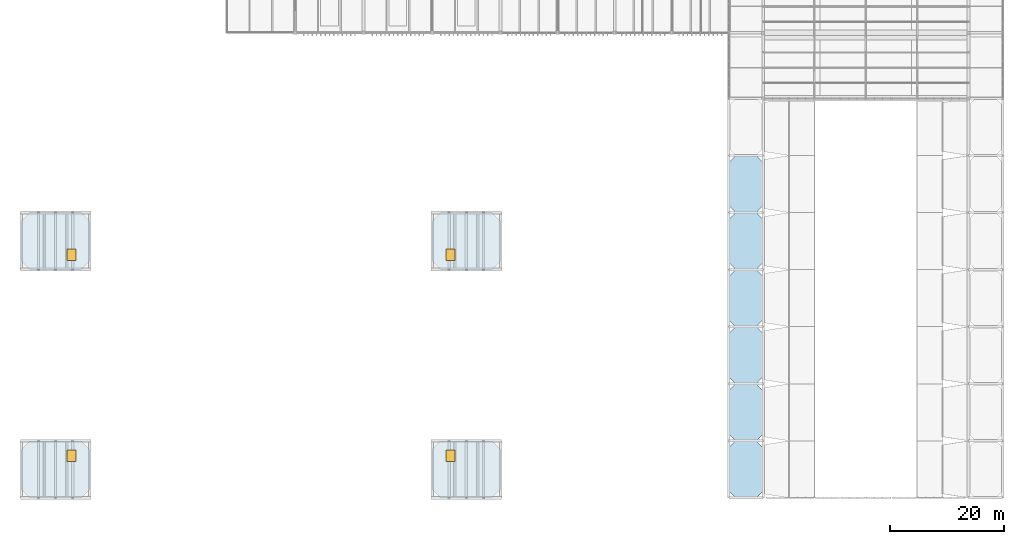
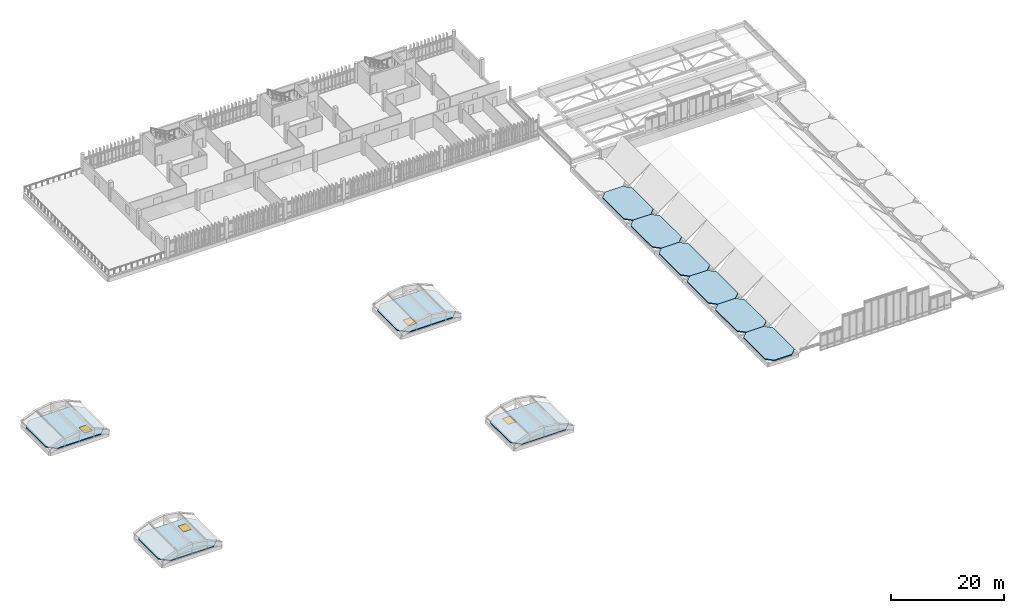
# One storey, part 66 of 82: 10 slabs, 4 windows, 4 openings.
"""IFC4 building model written with IfcOpenShell, lengths in metres."""

from ifc_helpers import new_model, si_unit, direction, frame, origin, origin_2d, place, context, subcontext, project, spatial, polyline, rectangle, outline, extrude, material, layer, layer_set, type_object, element, fill, save


model = new_model("IFC4")

# Units and contexts
model_context = context("Model", 3, precision=1e-05, world=origin(), true_north=direction((0.0, 1.0)))
body_context = subcontext(model_context, "Body", "Model", "MODEL_VIEW")
ifc_project = project(units=[si_unit("LENGTHUNIT", "METRE"), si_unit("AREAUNIT", "SQUARE_METRE"), si_unit("VOLUMEUNIT", "CUBIC_METRE"), si_unit("PLANEANGLEUNIT", "RADIAN"), si_unit("MASSUNIT", "GRAM", prefix="KILO")], contexts=[model_context])

# Site, building, storey
site_placement = place(None, origin())
site = spatial("IfcSite", under=ifc_project, at=site_placement, CompositionType="ELEMENT")
building_placement = place(site_placement, origin())
building = spatial("IfcBuilding", under=site, at=building_placement, Name="Mersad Railyard Sports Hall", CompositionType="ELEMENT")
storey_placement = place(building_placement, frame((0.0, 0.0, 13.199951171875)))
storey = spatial("IfcBuildingStorey", under=building, at=storey_placement, Name="L03", CompositionType="ELEMENT", Elevation=13.199951171875)

# Slab, opening, window
ifc_material_1 = material(Name="Architectural concrete C50/60", Category="concrete")
ifc_layer = layer(ifc_material_1, 0.219970703125)
ifc_layer_set = layer_set([ifc_layer], Name="Architectural concrete C50/60")
slab_type = type_object("IfcSlabType", Name="STR-SL-RF01", PredefinedType="ROOF", material=ifc_layer_set)
slab_1_placement = place(storey_placement, frame((0.0, 0.0, -0.219970703125)))
slab_1 = element("IfcSlab", 1, at=slab_1_placement, inside=storey, type_object=slab_type, Name="Slab RS01-0095", PredefinedType="ROOF", context=body_context, shape_type="SweptSolid", body=[
    extrude(outline(polyline([(8.5, 3.5), (17.5, 3.5), (19.0, 5.0), (19.0, 12.0), (17.5, 13.5), (8.5, 13.5), (7.0, 12.0), (7.0, 5.0), (8.5, 3.5)])), origin(), (0.0, 0.0, 1.0), 0.219970703125),
])
opening_1_placement = place(slab_1_placement, frame((15.800048828125, 10.89990234375, -0.010009765625)))
opening_1 = element("IfcOpeningElement", 2, at=opening_1_placement, cuts=slab_1, Name="Opening SK05", PredefinedType="OPENING", context=body_context, shape_type="SweptSolid", body=[
    extrude(rectangle(XDim=1.60009765625, YDim=2.0, at=origin_2d()), origin(), (0.0, 0.0, 1.0), 0.239990234375),
])
ifc_material_2 = material(Name="Solar-control glass", Category="glass")
window_type = type_object("IfcWindowType", Name="ARC-SK-SK05", PartitioningType="SINGLE_PANEL", PredefinedType="SKYLIGHT", material=ifc_material_2)
window_1_placement = place(slab_1_placement, frame((15.800048828125, 10.89990234375, 0.169921875)))
window_1 = element("IfcWindow", 3, at=window_1_placement, inside=storey, type_object=window_type, Name="Pavilion skylight SK05-1", OverallHeight=2.0, OverallWidth=1.60009765625, PartitioningType="SINGLE_PANEL", PredefinedType="SKYLIGHT", context=body_context, shape_type="SweptSolid", body=[
    extrude(rectangle(XDim=1.60009765625, YDim=2.0, at=origin_2d()), origin(), (0.0, 0.0, 1.0), 0.050048828125),
])
fill(opening_1, window_1)

slab_2_placement = place(storey_placement, frame((0.0, 0.0, -0.219970703125)))
slab_2 = element("IfcSlab", 4, at=slab_2_placement, inside=storey, type_object=slab_type, Name="Slab RS01-0096", PredefinedType="ROOF", context=body_context, shape_type="SweptSolid", body=[
    extrude(outline(polyline([(80.5, 3.5), (89.5, 3.5), (91.0, 5.0), (91.0, 12.0), (89.5, 13.5), (80.5, 13.5), (79.0, 12.0), (79.0, 5.0), (80.5, 3.5)])), origin(), (0.0, 0.0, 1.0), 0.219970703125),
])
opening_2_placement = place(slab_2_placement, frame((82.199951171875, 10.89990234375, -0.010009765625)))
opening_2 = element("IfcOpeningElement", 5, at=opening_2_placement, cuts=slab_2, Name="Opening SK05", PredefinedType="OPENING", context=body_context, shape_type="SweptSolid", body=[
    extrude(rectangle(XDim=1.60009765625, YDim=2.0, at=origin_2d()), origin(), (0.0, 0.0, 1.0), 0.239990234375),
])
window_2_placement = place(slab_2_placement, frame((82.199951171875, 10.89990234375, 0.169921875)))
window_2 = element("IfcWindow", 6, at=window_2_placement, inside=storey, type_object=window_type, Name="Pavilion skylight SK05-2", OverallHeight=2.0, OverallWidth=1.60009765625, PartitioningType="SINGLE_PANEL", PredefinedType="SKYLIGHT", context=body_context, shape_type="SweptSolid", body=[
    extrude(rectangle(XDim=1.60009765625, YDim=2.0, at=origin_2d()), origin(), (0.0, 0.0, 1.0), 0.050048828125),
])
fill(opening_2, window_2)

slab_3_placement = place(storey_placement, frame((0.0, 0.0, -0.219970703125)))
slab_3 = element("IfcSlab", 7, at=slab_3_placement, inside=storey, type_object=slab_type, Name="Slab RS01-0097", PredefinedType="ROOF", context=body_context, shape_type="SweptSolid", body=[
    extrude(outline(polyline([(8.5, 43.5), (17.5, 43.5), (19.0, 45.0), (19.0, 52.0), (17.5, 53.5), (8.5, 53.5), (7.0, 52.0), (7.0, 45.0), (8.5, 43.5)])), origin(), (0.0, 0.0, 1.0), 0.219970703125),
])
opening_3_placement = place(slab_3_placement, frame((15.800048828125, 46.10009765625, -0.010009765625)))
opening_3 = element("IfcOpeningElement", 8, at=opening_3_placement, cuts=slab_3, Name="Opening SK05", PredefinedType="OPENING", context=body_context, shape_type="SweptSolid", body=[
    extrude(rectangle(XDim=1.60009765625, YDim=2.0, at=origin_2d()), origin(), (0.0, 0.0, 1.0), 0.239990234375),
])
window_3_placement = place(slab_3_placement, frame((15.800048828125, 46.10009765625, 0.169921875)))
window_3 = element("IfcWindow", 9, at=window_3_placement, inside=storey, type_object=window_type, Name="Pavilion skylight SK05-3", OverallHeight=2.0, OverallWidth=1.60009765625, PartitioningType="SINGLE_PANEL", PredefinedType="SKYLIGHT", context=body_context, shape_type="SweptSolid", body=[
    extrude(rectangle(XDim=1.60009765625, YDim=2.0, at=origin_2d()), origin(), (0.0, 0.0, 1.0), 0.050048828125),
])
fill(opening_3, window_3)

slab_4_placement = place(storey_placement, frame((0.0, 0.0, -0.219970703125)))
slab_4 = element("IfcSlab", 10, at=slab_4_placement, inside=storey, type_object=slab_type, Name="Slab RS01-0098", PredefinedType="ROOF", context=body_context, shape_type="SweptSolid", body=[
    extrude(outline(polyline([(80.5, 43.5), (89.5, 43.5), (91.0, 45.0), (91.0, 52.0), (89.5, 53.5), (80.5, 53.5), (79.0, 52.0), (79.0, 45.0), (80.5, 43.5)])), origin(), (0.0, 0.0, 1.0), 0.219970703125),
])
opening_4_placement = place(slab_4_placement, frame((82.199951171875, 46.10009765625, -0.010009765625)))
opening_4 = element("IfcOpeningElement", 11, at=opening_4_placement, cuts=slab_4, Name="Opening SK05", PredefinedType="OPENING", context=body_context, shape_type="SweptSolid", body=[
    extrude(rectangle(XDim=1.60009765625, YDim=2.0, at=origin_2d()), origin(), (0.0, 0.0, 1.0), 0.239990234375),
])
window_4_placement = place(slab_4_placement, frame((82.199951171875, 46.10009765625, 0.169921875)))
window_4 = element("IfcWindow", 12, at=window_4_placement, inside=storey, type_object=window_type, Name="Pavilion skylight SK05-4", OverallHeight=2.0, OverallWidth=1.60009765625, PartitioningType="SINGLE_PANEL", PredefinedType="SKYLIGHT", context=body_context, shape_type="SweptSolid", body=[
    extrude(rectangle(XDim=1.60009765625, YDim=2.0, at=origin_2d()), origin(), (0.0, 0.0, 1.0), 0.050048828125),
])
fill(opening_4, window_4)

# Slabs
slab_5_placement = place(storey_placement, frame((0.0, 0.0, -0.219970703125)))
element("IfcSlab", 13, at=slab_5_placement, inside=storey, type_object=slab_type, Name="Slab RS01-0099", PredefinedType="ROOF", context=body_context, shape_type="SweptSolid", body=[
    extrude(outline(polyline([(132.199951171875, 3.5), (135.800048828125, 3.5), (137.0, 4.699951171875), (137.0, 12.300048828125), (135.800048828125, 13.5), (132.199951171875, 13.5), (131.0, 12.300048828125), (131.0, 4.699951171875), (132.199951171875, 3.5)])), origin(), (0.0, 0.0, 1.0), 0.219970703125),
])
slab_6_placement = place(storey_placement, frame((0.0, 0.0, -0.219970703125)))
element("IfcSlab", 14, at=slab_6_placement, inside=storey, type_object=slab_type, Name="Slab RS01-0101", PredefinedType="ROOF", context=body_context, shape_type="SweptSolid", body=[
    extrude(outline(polyline([(132.199951171875, 13.5), (135.800048828125, 13.5), (137.0, 14.699951171875), (137.0, 22.300048828125), (135.800048828125, 23.5), (132.199951171875, 23.5), (131.0, 22.300048828125), (131.0, 14.699951171875), (132.199951171875, 13.5)])), origin(), (0.0, 0.0, 1.0), 0.219970703125),
])
slab_7_placement = place(storey_placement, frame((0.0, 0.0, -0.219970703125)))
element("IfcSlab", 15, at=slab_7_placement, inside=storey, type_object=slab_type, Name="Slab RS01-0103", PredefinedType="ROOF", context=body_context, shape_type="SweptSolid", body=[
    extrude(outline(polyline([(132.199951171875, 23.5), (135.800048828125, 23.5), (137.0, 24.699951171875), (137.0, 32.300048828125), (135.800048828125, 33.5), (132.199951171875, 33.5), (131.0, 32.300048828125), (131.0, 24.699951171875), (132.199951171875, 23.5)])), origin(), (0.0, 0.0, 1.0), 0.219970703125),
])
slab_8_placement = place(storey_placement, frame((0.0, 0.0, -0.219970703125)))
element("IfcSlab", 16, at=slab_8_placement, inside=storey, type_object=slab_type, Name="Slab RS01-0105", PredefinedType="ROOF", context=body_context, shape_type="SweptSolid", body=[
    extrude(outline(polyline([(132.199951171875, 33.5), (135.800048828125, 33.5), (137.0, 34.699951171875), (137.0, 42.300048828125), (135.800048828125, 43.5), (132.199951171875, 43.5), (131.0, 42.300048828125), (131.0, 34.699951171875), (132.199951171875, 33.5)])), origin(), (0.0, 0.0, 1.0), 0.219970703125),
])
slab_9_placement = place(storey_placement, frame((0.0, 0.0, -0.219970703125)))
element("IfcSlab", 17, at=slab_9_placement, inside=storey, type_object=slab_type, Name="Slab RS01-0107", PredefinedType="ROOF", context=body_context, shape_type="SweptSolid", body=[
    extrude(outline(polyline([(132.199951171875, 43.5), (135.800048828125, 43.5), (137.0, 44.699951171875), (137.0, 52.300048828125), (135.800048828125, 53.5), (132.199951171875, 53.5), (131.0, 52.300048828125), (131.0, 44.699951171875), (132.199951171875, 43.5)])), origin(), (0.0, 0.0, 1.0), 0.219970703125),
])
slab_10_placement = place(storey_placement, frame((0.0, 0.0, -0.219970703125)))
element("IfcSlab", 18, at=slab_10_placement, inside=storey, type_object=slab_type, Name="Slab RS01-0109", PredefinedType="ROOF", context=body_context, shape_type="SweptSolid", body=[
    extrude(outline(polyline([(132.199951171875, 53.5), (135.800048828125, 53.5), (137.0, 54.699951171875), (137.0, 62.300048828125), (135.800048828125, 63.5), (132.199951171875, 63.5), (131.0, 62.300048828125), (131.0, 54.699951171875), (132.199951171875, 53.5)])), origin(), (0.0, 0.0, 1.0), 0.219970703125),
])

save(model, "model.ifc")
